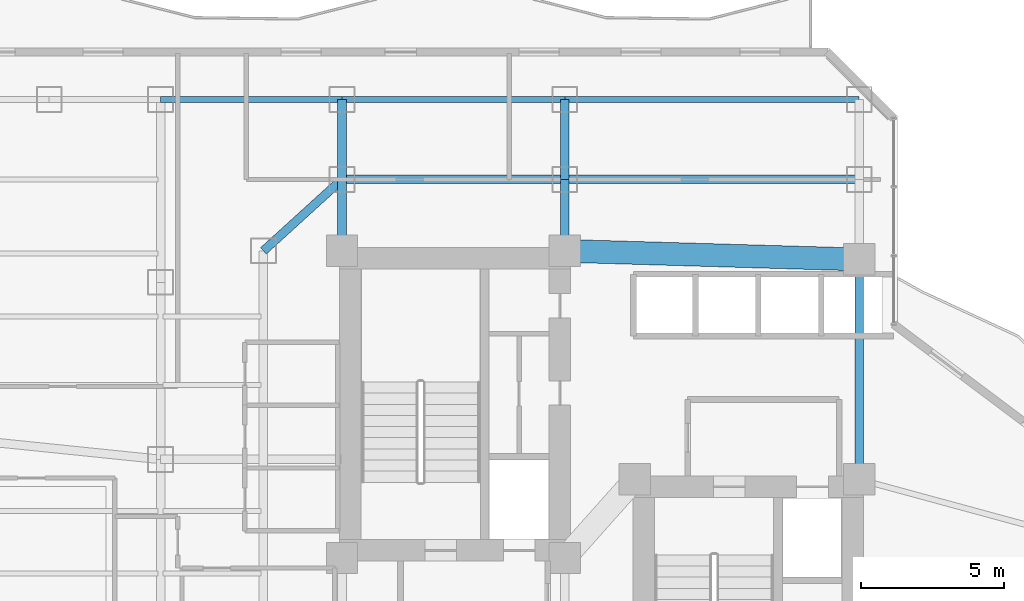
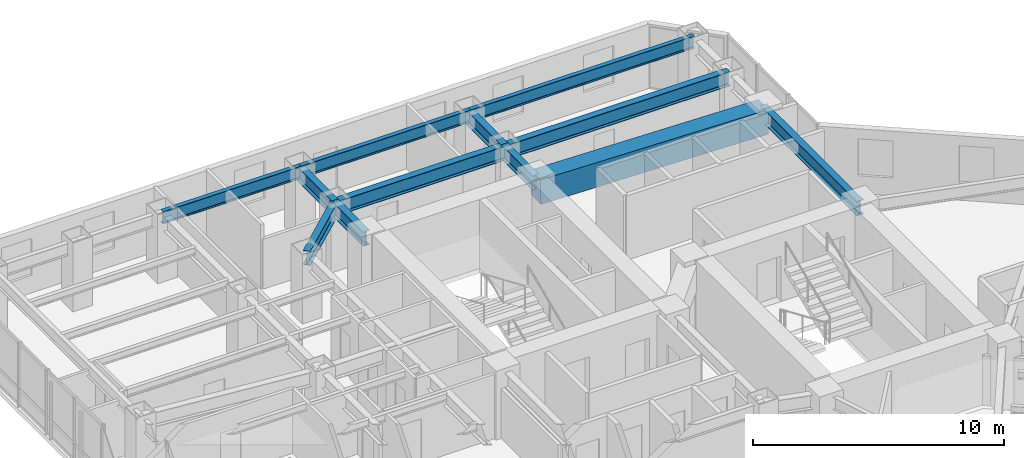
# One storey, part 24 of 36: 12 beams.
"""IFC4 building model written with IfcOpenShell, lengths in metres."""

import ifcopenshell
import ifcopenshell.guid

model = None  # the IFC model being written
_history = None  # IfcOwnerHistory: only IFC2X3 demands one
_inside = {}  # id of a spatial element -> (the spatial element, [elements in it])
_under = {}  # id of a project, library or spatial element -> (it, [spatial elements below it])
_declared = {}  # id of a project -> (the project, [libraries it declares])
_typed = {}  # id of a type object -> (the type object, [elements of that type])
_made_of = {}  # id of a material, layer set ... -> (it, [elements and type objects made of it])


def new_model(schema):
    """Start an empty IFC model of exactly this schema.

    Asked for "IFC4X3", IfcOpenShell would pick the latest addendum, in which some entities
    have other attributes; the version numbers below select the first issue.
    IFC2X3 requires an IfcOwnerHistory on every rooted entity: one is made here for all.
    """
    global model, _history
    if schema == "IFC4X3":
        model = ifcopenshell.file(schema_version=(4, 3, 0, 0))
    else:
        model = ifcopenshell.file(schema=schema)
    _inside.clear()
    _under.clear()
    _declared.clear()
    _typed.clear()
    _made_of.clear()
    _history = None
    if model.schema == "IFC2X3":
        org = make("IfcOrganization", Name="unknown")
        user = make(
            "IfcPersonAndOrganization",
            ThePerson=make("IfcPerson", FamilyName="unknown"),
            TheOrganization=org,
        )
        app = make(
            "IfcApplication",
            ApplicationDeveloper=org,
            Version="unknown",
            ApplicationFullName="unknown",
            ApplicationIdentifier="unknown",
        )
        _history = make(
            "IfcOwnerHistory",
            OwningUser=user,
            OwningApplication=app,
            ChangeAction="ADDED",
            CreationDate=0,
        )
    return model


def make(cls, **values):
    """One entity of the class cls with the attributes given. An attribute that is None is left unset."""
    return model.create_entity(
        cls, **{name: value for name, value in values.items() if value is not None}
    )


def rooted(cls, **values):
    """An entity with a GlobalId (a new one), such as an element, a storey or a relation."""
    return make(cls, GlobalId=ifcopenshell.guid.new(), OwnerHistory=_history, **values)


def si_unit(unit_type, name, prefix=None):
    """IfcSIUnit, for example si_unit("LENGTHUNIT", "METRE", prefix="MILLI")."""
    return make("IfcSIUnit", UnitType=unit_type, Prefix=prefix, Name=name)


def assignment(units):
    """IfcUnitAssignment: the units of a project."""
    return None if units is None else make("IfcUnitAssignment", Units=units)


def point(xyz):
    """IfcCartesianPoint."""
    return None if xyz is None else make("IfcCartesianPoint", Coordinates=xyz)


def direction(xyz):
    """IfcDirection."""
    return None if xyz is None else make("IfcDirection", DirectionRatios=xyz)


def frame(location, z_axis=None, x_axis=None):
    """IfcAxis2Placement3D, a coordinate frame: its origin and axes. An axis left out is left unset."""
    return make(
        "IfcAxis2Placement3D",
        Location=point(location),
        Axis=direction(z_axis),
        RefDirection=direction(x_axis),
    )


def frame_2d(location, x_axis=None):
    """IfcAxis2Placement2D, a coordinate frame in the plane: its origin and x axis."""
    return make(
        "IfcAxis2Placement2D", Location=point(location), RefDirection=direction(x_axis)
    )


def origin():
    """The frame at (0, 0, 0) with its axes left unset."""
    return frame((0.0, 0.0, 0.0))


def origin_2d():
    """The frame at (0, 0) in the plane with its x axis left unset."""
    return frame_2d((0.0, 0.0))


def place(relative_to, where):
    """IfcLocalPlacement: puts the frame where relative to a parent placement (None: the world)."""
    return make(
        "IfcLocalPlacement", PlacementRelTo=relative_to, RelativePlacement=where
    )


def context(
    kind, dimensions, precision=None, world=None, true_north=None, identifier=None
):
    """IfcGeometricRepresentationContext, for example the 3D "Model" context."""
    return make(
        "IfcGeometricRepresentationContext",
        ContextIdentifier=identifier,
        ContextType=kind,
        CoordinateSpaceDimension=dimensions,
        Precision=precision,
        WorldCoordinateSystem=world,
        TrueNorth=true_north,
    )


def subcontext(parent, identifier, kind, view, scale=None):
    """IfcGeometricRepresentationSubContext, for example "Body" below "Model"."""
    return make(
        "IfcGeometricRepresentationSubContext",
        ContextIdentifier=identifier,
        ContextType=kind,
        ParentContext=parent,
        TargetScale=scale,
        TargetView=view,
    )


def project(units=None, contexts=None):
    """IfcProject with its units and contexts."""
    return rooted(
        "IfcProject",
        Name="project",
        RepresentationContexts=contexts,
        UnitsInContext=assignment(units),
    )


def spatial(cls, under=None, at=None, **own):
    """A site, building, storey or space (cls), placed at a placement, below another one or the project."""
    s = rooted(cls, ObjectPlacement=at, **own)
    if under is not None:
        _under.setdefault(under.id(), (under, []))[1].append(s)
    return s


def profile(cls, at=None, kind="AREA", **sizes):
    """A parametric profile (cls). Its sizes go by their IFC names, for example OverallWidth=200.0."""
    return make(cls, ProfileType=kind, Position=at, **sizes)


def rectangle(**sizes):
    """IfcRectangleProfileDef."""
    return profile("IfcRectangleProfileDef", **sizes)


def i_section(**sizes):
    """IfcIShapeProfileDef."""
    return profile("IfcIShapeProfileDef", **sizes)


def extrude(swept, where, along, depth):
    """IfcExtrudedAreaSolid: the profile swept, set in the frame where, extruded along a direction by depth."""
    return make(
        "IfcExtrudedAreaSolid",
        SweptArea=swept,
        Position=where,
        ExtrudedDirection=direction(along),
        Depth=depth,
    )


def shape(context_of_items, identifier, shape_type, items):
    """IfcShapeRepresentation: the items that make up one representation, for example the "Body"."""
    return make(
        "IfcShapeRepresentation",
        ContextOfItems=context_of_items,
        RepresentationIdentifier=identifier,
        RepresentationType=shape_type,
        Items=items,
    )


def material(Name=None, Category=None):
    """IfcMaterial."""
    return make("IfcMaterial", Name=Name, Category=Category)


def material_profile(
    of_material, cross_section, Name=None, Category=None, Priority=None
):
    """IfcMaterialProfile: a cross section and its material."""
    return make(
        "IfcMaterialProfile",
        Name=Name,
        Material=of_material,
        Profile=cross_section,
        Priority=Priority,
        Category=Category,
    )


def profile_set(profiles, Name=None, composite=None):
    """IfcMaterialProfileSet."""
    return make(
        "IfcMaterialProfileSet",
        Name=Name,
        MaterialProfiles=profiles,
        CompositeProfile=composite,
    )


def made_of(thing, what):
    """Note that an element or type object is made of a material, layer set ...; save() writes the relation."""
    if what is not None:
        _made_of.setdefault(what.id(), (what, []))[1].append(thing)
    return thing


def type_object(cls, material=None, **own):
    """A type object (cls), such as IfcWallType, which elements share."""
    return made_of(rooted(cls, **own), material)


def element(
    cls,
    number,
    at=None,
    inside=None,
    cuts=None,
    type_object=None,
    material=None,
    context=None,
    identifier="Body",
    shape_type=None,
    held_by="IfcProductDefinitionShape",
    body=None,
    shapes=None,
    **own,
):
    """One element of the class cls, such as IfcWall. Its Tag is "e" and its number.

    at: its placement. inside: the storey or other place that contains it. cuts: it is an
    opening in that element (IfcRelVoidsElement). A single representation is given by context,
    identifier, shape_type and body (its items); several are given by shapes. held_by: the class
    of the entity that holds the representations. save() writes the other relations.
    """
    e = rooted(cls, Tag="e%d" % number, ObjectPlacement=at, **own)
    if body is not None:
        shapes = [shape(context, identifier, shape_type, body)]
    if shapes is not None:
        e.Representation = make(held_by, Representations=shapes)
    if inside is not None:
        _inside.setdefault(inside.id(), (inside, []))[1].append(e)
    if cuts is not None:
        rooted(
            "IfcRelVoidsElement", RelatingBuildingElement=cuts, RelatedOpeningElement=e
        )
    if type_object is not None:
        _typed.setdefault(type_object.id(), (type_object, []))[1].append(e)
    return made_of(e, material)


def aggregate(whole, parts):
    """IfcRelAggregates: a whole, such as a stair, and the parts it consists of."""
    return rooted("IfcRelAggregates", RelatingObject=whole, RelatedObjects=parts)


def save(model, path):
    """Write the relations noted so far, then the file.

    IfcRelAggregates (storeys below a building ...), IfcRelContainedInSpatialStructure (elements
    in a storey), IfcRelDefinesByType, IfcRelAssociatesMaterial and IfcRelDeclares: one each for
    every whole, place, type object, material and project.
    """
    for whole, parts in _under.values():
        aggregate(whole, parts)
    for where, things in _inside.values():
        rooted(
            "IfcRelContainedInSpatialStructure",
            RelatedElements=things,
            RelatingStructure=where,
        )
    for kind, things in _typed.values():
        rooted("IfcRelDefinesByType", RelatedObjects=things, RelatingType=kind)
    for what, things in _made_of.values():
        rooted("IfcRelAssociatesMaterial", RelatedObjects=things, RelatingMaterial=what)
    for by, libraries in _declared.values():
        rooted("IfcRelDeclares", RelatingContext=by, RelatedDefinitions=libraries)
    model.write(path)


model = new_model("IFC4")

# Units and contexts
model_context = context("Model", 3, precision=1e-05, world=origin(), true_north=direction((0.0, 1.0)))
body_context = subcontext(model_context, "Body", "Model", "MODEL_VIEW")
ifc_project = project(units=[si_unit("LENGTHUNIT", "METRE"), si_unit("AREAUNIT", "SQUARE_METRE"), si_unit("VOLUMEUNIT", "CUBIC_METRE"), si_unit("PLANEANGLEUNIT", "RADIAN"), si_unit("MASSUNIT", "GRAM", prefix="KILO")], contexts=[model_context])

# Site, building, storey
site_placement = place(None, origin())
site = spatial("IfcSite", under=ifc_project, at=site_placement, CompositionType="ELEMENT")
building_placement = place(site_placement, origin())
building = spatial("IfcBuilding", under=site, at=building_placement, Name="Hatsunagi Terrace Concourse", CompositionType="ELEMENT")
storey_placement = place(building_placement, frame((0.0, 0.0, 84.64990234375)))
storey = spatial("IfcBuildingStorey", under=building, at=storey_placement, Name="L22", CompositionType="ELEMENT", Elevation=84.64990234375)

# Beams
ifc_material_1 = material(Name="Concrete Fc60", Category="concrete")
ifc_material_profile_1 = material_profile(ifc_material_1, rectangle(XDim=0.800048828125, YDim=1.199951171875, at=origin_2d()), Name="RC-800x1200")
ifc_profile_set_1 = profile_set([ifc_material_profile_1], Name="Concrete Fc60")
beam_type_1 = type_object("IfcBeamType", Name="CoreCouplingBeam_RC_800x1200", PredefinedType="BEAM", material=ifc_profile_set_1)
beam_1_placement = place(storey_placement, frame((33.35009765625, 43.300048828125, 2.530029296875), z_axis=(0.999575947545, -0.029119153303, 0.0), x_axis=(0.029119153303, 0.999575947545, 0.0)))
element("IfcBeam", 1, at=beam_1_placement, inside=storey, type_object=beam_type_1, Name="Beam CB-01 CB-L22-2", PredefinedType="BEAM", context=body_context, shape_type="SweptSolid", body=[
    extrude(rectangle(XDim=0.800048828125, YDim=1.199951171875, at=origin_2d()), origin(), (0.0, 0.0, 1.0), 10.30419921875),
])
ifc_material_2 = material(Name="Steel SN490B", Category="steel")
ifc_material_profile_2 = material_profile(ifc_material_2, i_section(OverallWidth=0.300048828125, OverallDepth=0.699951171875, WebThickness=0.012939453125, FlangeThickness=0.02392578125, FilletRadius=0.02197265625, at=origin_2d()), Name="H-700x300x13x24")
ifc_profile_set_2 = profile_set([ifc_material_profile_2], Name="Steel SN490B")
beam_type_2 = type_object("IfcBeamType", Name="HotelFloorGirder_H_700x300", PredefinedType="BEAM", material=ifc_profile_set_2)
beam_2_placement = place(storey_placement, frame((43.64990234375, 35.300048828125, 2.780029296875), z_axis=(0.0, 1.0, 0.0), x_axis=(-1.0, 0.0, 0.0)))
element("IfcBeam", 2, at=beam_2_placement, inside=storey, type_object=beam_type_2, Name="Beam G-04 BM-L22-CBK3", PredefinedType="BEAM", context=body_context, shape_type="SweptSolid", body=[
    extrude(i_section(OverallWidth=0.300048828125, OverallDepth=0.699951171875, WebThickness=0.012939453125, FlangeThickness=0.02392578125, FilletRadius=0.02197265625, at=origin_2d()), origin(), (0.0, 0.0, 1.0), 7.699951171875),
])
for number, where, z_axis, x_axis, name in (
    (3, (25.550048828125, 43.300048828125, 2.780029296875), (0.0, 1.0, 0.0), (-1.0, 0.0, 0.0), "Beam G-04 BM-L22-CN1"),
    (4, (33.35009765625, 43.300048828125, 2.780029296875), (0.0, 1.0, 0.0), (-1.0, 0.0, 0.0), "Beam G-04 BM-L22-CN2"),
):
    element("IfcBeam", number, at=place(storey_placement, frame(where, z_axis=z_axis, x_axis=x_axis)), inside=storey, type_object=beam_type_2, Name=name, PredefinedType="BEAM", context=body_context, shape_type="SweptSolid", body=[
        extrude(i_section(OverallWidth=0.300048828125, OverallDepth=0.699951171875, WebThickness=0.012939453125, FlangeThickness=0.02392578125, FilletRadius=0.02197265625, at=origin_2d()), origin(), (0.0, 0.0, 1.0), 2.5),
    ])
beam_3_placement = place(storey_placement, frame((25.550048828125, 45.800048828125, 2.780029296875), z_axis=(1.0, 0.0, 0.0), x_axis=(0.0, 1.0, 0.0)))
element("IfcBeam", 5, at=beam_3_placement, inside=storey, type_object=beam_type_2, Name="Beam G-04 BM-L22-CNEW1", PredefinedType="BEAM", context=body_context, shape_type="SweptSolid", body=[
    extrude(i_section(OverallWidth=0.300048828125, OverallDepth=0.699951171875, WebThickness=0.012939453125, FlangeThickness=0.02392578125, FilletRadius=0.02197265625, at=origin_2d()), origin(), (0.0, 0.0, 1.0), 7.800048828125),
])
beam_4_placement = place(storey_placement, frame((33.35009765625, 45.800048828125, 2.780029296875), z_axis=(1.0, 0.0, 0.0), x_axis=(0.0, 1.0, 0.0)))
element("IfcBeam", 6, at=beam_4_placement, inside=storey, type_object=beam_type_2, Name="Beam G-04 BM-L22-CNEW2", PredefinedType="BEAM", context=body_context, shape_type="SweptSolid", body=[
    extrude(i_section(OverallWidth=0.300048828125, OverallDepth=0.699951171875, WebThickness=0.012939453125, FlangeThickness=0.02392578125, FilletRadius=0.02197265625, at=origin_2d()), origin(), (0.0, 0.0, 1.0), 10.2998046875),
])
for number, where, z_axis, x_axis, name in (
    (7, (25.550048828125, 45.800048828125, 2.780029296875), (0.0, 1.0, 0.0), (-1.0, 0.0, 0.0), "Beam G-04 BM-L22-KN-WN4"),
    (8, (33.35009765625, 45.800048828125, 2.780029296875), (0.0, 1.0, 0.0), (-1.0, 0.0, 0.0), "Beam G-04 BM-L22-KN-WN5"),
):
    element("IfcBeam", number, at=place(storey_placement, frame(where, z_axis=z_axis, x_axis=x_axis)), inside=storey, type_object=beam_type_2, Name=name, PredefinedType="BEAM", context=body_context, shape_type="SweptSolid", body=[
        extrude(i_section(OverallWidth=0.300048828125, OverallDepth=0.699951171875, WebThickness=0.012939453125, FlangeThickness=0.02392578125, FilletRadius=0.02197265625, at=origin_2d()), origin(), (0.0, 0.0, 1.0), 2.800048828125),
    ])
beam_5_placement = place(storey_placement, frame((22.800048828125, 43.300048828125, 2.780029296875), z_axis=(0.739940073396, 0.672672793996, 0.0), x_axis=(-0.672672793996, 0.739940073396, 0.0)))
element("IfcBeam", 9, at=beam_5_placement, inside=storey, type_object=beam_type_2, Name="Beam G-04 BM-L22-CWEW-N", PredefinedType="BEAM", context=body_context, shape_type="SweptSolid", body=[
    extrude(i_section(OverallWidth=0.300048828125, OverallDepth=0.699951171875, WebThickness=0.012939453125, FlangeThickness=0.02392578125, FilletRadius=0.02197265625, at=origin_2d()), origin(), (0.0, 0.0, 1.0), 3.716552734375),
])
ifc_material_3 = material(Name="Steel SN490B", Category="steel")
ifc_material_profile_3 = material_profile(ifc_material_3, i_section(OverallWidth=0.199951171875, OverallDepth=0.60009765625, WebThickness=0.010986328125, FlangeThickness=0.01708984375, FilletRadius=0.01806640625, at=origin_2d()), Name="H-600x200x11x17")
ifc_profile_set_3 = profile_set([ifc_material_profile_3], Name="Steel SN490B")
beam_type_3 = type_object("IfcBeamType", Name="PerimeterSpandrel_H_600x200", PredefinedType="SPANDREL", material=ifc_profile_set_3)
beam_6_placement = place(storey_placement, frame((19.199951171875, 48.60009765625, 2.830078125), z_axis=(1.0, 0.0, 0.0), x_axis=(0.0, 1.0, 0.0)))
element("IfcBeam", 10, at=beam_6_placement, inside=storey, type_object=beam_type_3, Name="Beam SP-01 BM-L22-WN-19", PredefinedType="SPANDREL", context=body_context, shape_type="SweptSolid", body=[
    extrude(i_section(OverallWidth=0.199951171875, OverallDepth=0.60009765625, WebThickness=0.010986328125, FlangeThickness=0.01708984375, FilletRadius=0.01806640625, at=origin_2d()), origin(), (0.0, 0.0, 1.0), 6.35009765625),
])
beam_7_placement = place(storey_placement, frame((25.550048828125, 48.60009765625, 2.830078125), z_axis=(1.0, 0.0, 0.0), x_axis=(0.0, 1.0, 0.0)))
element("IfcBeam", 11, at=beam_7_placement, inside=storey, type_object=beam_type_3, Name="Beam SP-01 BM-L22-WN-25", PredefinedType="SPANDREL", context=body_context, shape_type="SweptSolid", body=[
    extrude(i_section(OverallWidth=0.199951171875, OverallDepth=0.60009765625, WebThickness=0.010986328125, FlangeThickness=0.01708984375, FilletRadius=0.01806640625, at=origin_2d()), origin(), (0.0, 0.0, 1.0), 7.800048828125),
])
beam_8_placement = place(storey_placement, frame((33.35009765625, 48.60009765625, 2.830078125), z_axis=(1.0, 0.0, 0.0), x_axis=(0.0, 1.0, 0.0)))
element("IfcBeam", 12, at=beam_8_placement, inside=storey, type_object=beam_type_3, Name="Beam SP-01 BM-L22-WN-33", PredefinedType="SPANDREL", context=body_context, shape_type="SweptSolid", body=[
    extrude(i_section(OverallWidth=0.199951171875, OverallDepth=0.60009765625, WebThickness=0.010986328125, FlangeThickness=0.01708984375, FilletRadius=0.01806640625, at=origin_2d()), origin(), (0.0, 0.0, 1.0), 10.2998046875),
])

save(model, "model.ifc")
